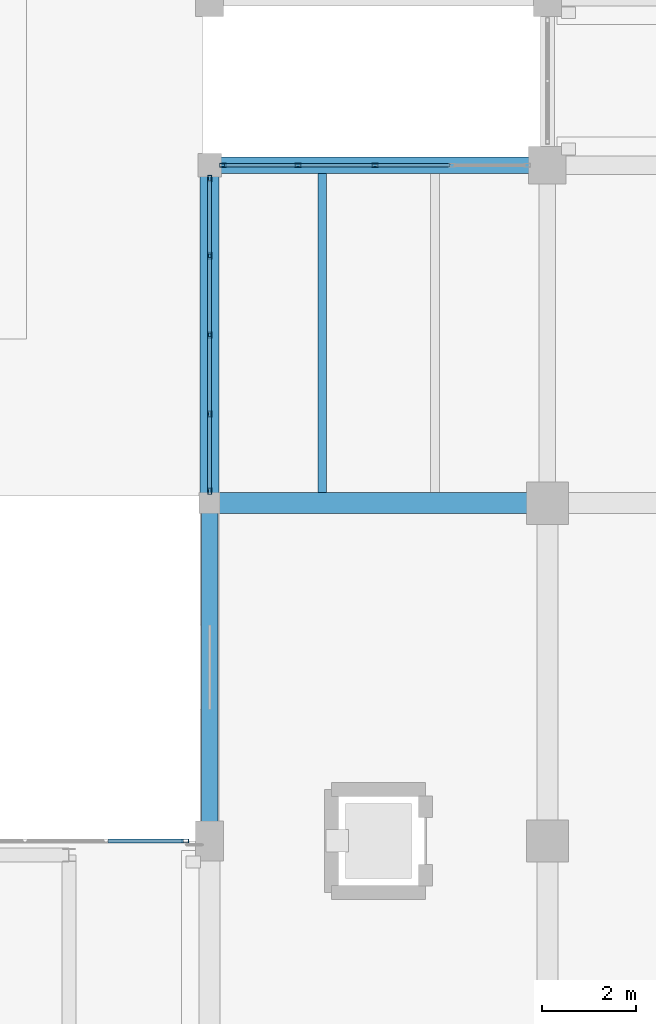
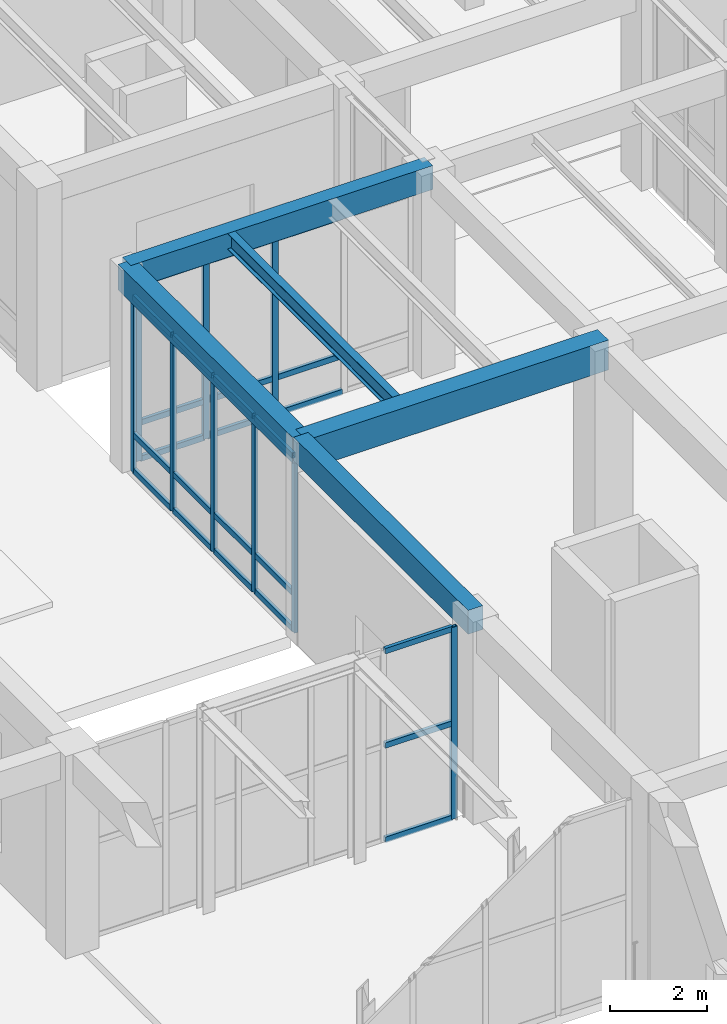
# One storey, part 54 of 169: 33 members, 5 beams, 3 elements without a shape of their own.
"""IFC4 building model written with IfcOpenShell, lengths in metres."""

from ifc_helpers import new_model, si_unit, direction, frame, origin, origin_2d, place, context, subcontext, project, spatial, rectangle, hollow_rectangle, i_section, extrude, material, layer, layer_set, material_profile, profile_set, type_object, element, aggregate, save


model = new_model("IFC4")

# Units and contexts
model_context = context("Model", 3, precision=1e-05, world=origin(), true_north=direction((0.0, 1.0)))
body_context = subcontext(model_context, "Body", "Model", "MODEL_VIEW")
ifc_project = project(units=[si_unit("LENGTHUNIT", "METRE"), si_unit("AREAUNIT", "SQUARE_METRE"), si_unit("VOLUMEUNIT", "CUBIC_METRE"), si_unit("PLANEANGLEUNIT", "RADIAN"), si_unit("MASSUNIT", "GRAM", prefix="KILO")], contexts=[model_context])

# Site, building, storey
site_placement = place(None, origin())
site = spatial("IfcSite", under=ifc_project, at=site_placement, CompositionType="ELEMENT")
building_placement = place(site_placement, origin())
building = spatial("IfcBuilding", under=site, at=building_placement, Name="Mazaris Harbour Polytechnic", CompositionType="ELEMENT")
storey_placement = place(building_placement, origin())
storey = spatial("IfcBuildingStorey", under=building, at=storey_placement, Name="L00", CompositionType="ELEMENT", Elevation=0.0)

# Curtain wall, members
ifc_material_1 = material(Name="Anodised Bronze Aluminium and Low-E Glass", Category="aluminium")
ifc_layer_1 = layer(ifc_material_1, 0.159912109375, Name="Anodised Bronze Aluminium and Low-E Glass")
ifc_layer_set_1 = layer_set([ifc_layer_1], Name="Anodised Bronze Aluminium and Low-E Glass")
curtain_wall_type_1 = type_object("IfcCurtainWallType", Name="Cloister Court Curtain Wall", PredefinedType="NOTDEFINED", material=ifc_layer_set_1)
curtain_wall_1_placement = place(storey_placement, origin())
curtain_wall_1 = element("IfcCurtainWall", 1, at=curtain_wall_1_placement, inside=storey, type_object=curtain_wall_type_1, Name="V2 L00 Curtain Wall 37", PredefinedType="NOTDEFINED")
ifc_material_2 = material(Name="Anodised Bronze Steel S355", Category="steel")
ifc_material_profile_1 = material_profile(ifc_material_2, hollow_rectangle(XDim=0.080078125, YDim=0.139892578125, WallThickness=0.00634765625, at=origin_2d()), Name="RHS 80x140x6.3")
ifc_profile_set_1 = profile_set([ifc_material_profile_1], Name="Anodised Bronze Steel S355")
member_type_1 = type_object("IfcMemberType", Name="Curtain Mullion RHS80x140", PredefinedType="MULLION", material=ifc_profile_set_1)
member_1_placement = place(storey_placement, frame((122.681884765625, 43.199951171875, 0.0), z_axis=(0.0, 0.0, 1.0), x_axis=(0.0, 1.0, 0.0)))
member_1 = element("IfcMember", 2, at=member_1_placement, type_object=member_type_1, Name="CW-02 mullion 1", PredefinedType="MULLION", context=body_context, shape_type="SweptSolid", body=[
    extrude(hollow_rectangle(XDim=0.080078125, YDim=0.139892578125, WallThickness=0.00634765625, at=origin_2d()), origin(), (0.0, 0.0, 1.0), 4.489990234375),
])
member_2_placement = place(storey_placement, frame((124.283447265625, 43.199951171875, 0.0), z_axis=(0.0, 0.0, 1.0), x_axis=(0.0, 1.0, 0.0)))
member_2 = element("IfcMember", 3, at=member_2_placement, type_object=member_type_1, Name="CW-02 mullion 2", PredefinedType="MULLION", context=body_context, shape_type="SweptSolid", body=[
    extrude(hollow_rectangle(XDim=0.080078125, YDim=0.139892578125, WallThickness=0.00634765625, at=origin_2d()), origin(), (0.0, 0.0, 1.0), 4.489990234375),
])
member_3_placement = place(storey_placement, frame((125.925048828125, 43.199951171875, 0.0), z_axis=(0.0, 0.0, 1.0), x_axis=(0.0, 1.0, 0.0)))
member_3 = element("IfcMember", 4, at=member_3_placement, type_object=member_type_1, Name="CW-02 mullion 3", PredefinedType="MULLION", context=body_context, shape_type="SweptSolid", body=[
    extrude(hollow_rectangle(XDim=0.080078125, YDim=0.139892578125, WallThickness=0.00634765625, at=origin_2d()), origin(), (0.0, 0.0, 1.0), 4.489990234375),
])

curtain_wall_2_placement = place(storey_placement, origin())
curtain_wall_2 = element("IfcCurtainWall", 5, at=curtain_wall_2_placement, inside=storey, type_object=curtain_wall_type_1, Name="V2 L00 Curtain Wall 42", PredefinedType="NOTDEFINED")
member_4_placement = place(storey_placement, frame((122.39990234375, 36.257080078125, 0.0), z_axis=(0.0, 0.0, 1.0), x_axis=(-1.0, 0.0, 0.0)))
member_4 = element("IfcMember", 6, at=member_4_placement, type_object=member_type_1, Name="CW-02 mullion 1", PredefinedType="MULLION", context=body_context, shape_type="SweptSolid", body=[
    extrude(hollow_rectangle(XDim=0.080078125, YDim=0.139892578125, WallThickness=0.00634765625, at=origin_2d()), origin(), (0.0, 0.0, 1.0), 4.43994140625),
])
member_5_placement = place(storey_placement, frame((122.39990234375, 37.90234375, 0.0), z_axis=(0.0, 0.0, 1.0), x_axis=(-1.0, 0.0, 0.0)))
member_5 = element("IfcMember", 7, at=member_5_placement, type_object=member_type_1, Name="CW-02 mullion 2", PredefinedType="MULLION", context=body_context, shape_type="SweptSolid", body=[
    extrude(hollow_rectangle(XDim=0.080078125, YDim=0.139892578125, WallThickness=0.00634765625, at=origin_2d()), origin(), (0.0, 0.0, 1.0), 4.43994140625),
])
member_6_placement = place(storey_placement, frame((122.39990234375, 39.58740234375, 0.0), z_axis=(0.0, 0.0, 1.0), x_axis=(-1.0, 0.0, 0.0)))
member_6 = element("IfcMember", 8, at=member_6_placement, type_object=member_type_1, Name="CW-02 mullion 3", PredefinedType="MULLION", context=body_context, shape_type="SweptSolid", body=[
    extrude(hollow_rectangle(XDim=0.080078125, YDim=0.139892578125, WallThickness=0.00634765625, at=origin_2d()), origin(), (0.0, 0.0, 1.0), 4.43994140625),
])
member_7_placement = place(storey_placement, frame((122.39990234375, 41.272705078125, 0.0), z_axis=(0.0, 0.0, 1.0), x_axis=(-1.0, 0.0, 0.0)))
member_7 = element("IfcMember", 9, at=member_7_placement, type_object=member_type_1, Name="CW-02 mullion 4", PredefinedType="MULLION", context=body_context, shape_type="SweptSolid", body=[
    extrude(hollow_rectangle(XDim=0.080078125, YDim=0.139892578125, WallThickness=0.00634765625, at=origin_2d()), origin(), (0.0, 0.0, 1.0), 4.43994140625),
])
member_8_placement = place(storey_placement, frame((122.39990234375, 42.91796875, 0.0), z_axis=(0.0, 0.0, 1.0), x_axis=(-1.0, 0.0, 0.0)))
member_8 = element("IfcMember", 10, at=member_8_placement, type_object=member_type_1, Name="CW-02 mullion 5", PredefinedType="MULLION", context=body_context, shape_type="SweptSolid", body=[
    extrude(hollow_rectangle(XDim=0.080078125, YDim=0.139892578125, WallThickness=0.00634765625, at=origin_2d()), origin(), (0.0, 0.0, 1.0), 4.43994140625),
])

# Curtain wall, member
ifc_material_3 = material(Name="Anodised Bronze Aluminium and Low-E Glass", Category="aluminium")
ifc_layer_2 = layer(ifc_material_3, 0.139892578125, Name="Anodised Bronze Aluminium and Low-E Glass")
ifc_layer_set_2 = layer_set([ifc_layer_2], Name="Anodised Bronze Aluminium and Low-E Glass")
curtain_wall_type_2 = type_object("IfcCurtainWallType", Name="Seismic Link Bridge Glazing", PredefinedType="NOTDEFINED", material=ifc_layer_set_2)
curtain_wall_3_placement = place(storey_placement, origin())
curtain_wall_3 = element("IfcCurtainWall", 11, at=curtain_wall_3_placement, inside=storey, type_object=curtain_wall_type_2, Name="PB-E1 L00 Bridge Glazing", PredefinedType="NOTDEFINED")
member_9_placement = place(storey_placement, frame((121.8798828125, 28.800048828125, 0.0), z_axis=(0.0, 0.0, 1.0), x_axis=(0.0, -1.0, 0.0)))
member_9 = element("IfcMember", 12, at=member_9_placement, type_object=member_type_1, Name="CW-05 mullion 1", PredefinedType="MULLION", context=body_context, shape_type="SweptSolid", body=[
    extrude(hollow_rectangle(XDim=0.080078125, YDim=0.139892578125, WallThickness=0.00634765625, at=origin_2d()), origin(), (0.0, 0.0, 1.0), 4.8349609375),
])

# Member
ifc_material_4 = material(Name="Anodised Bronze Steel S355", Category="steel")
ifc_material_profile_2 = material_profile(ifc_material_4, hollow_rectangle(XDim=0.080078125, YDim=0.139892578125, WallThickness=0.00634765625, at=origin_2d()), Name="RHS 80x140x6.3")
ifc_profile_set_2 = profile_set([ifc_material_profile_2], Name="Anodised Bronze Steel S355")
member_type_2 = type_object("IfcMemberType", Name="Curtain Transom RHS80x140", PredefinedType="USERDEFINED", material=ifc_profile_set_2)
member_10_placement = place(storey_placement, frame((122.721923828125, 43.199951171875, 0.0400390625), z_axis=(1.0, 0.0, 0.0), x_axis=(0.0, 1.0, 0.0)))
member_10 = element("IfcMember", 13, at=member_10_placement, type_object=member_type_2, Name="CW-02 transom 1.1", ObjectType="TRANSOM", PredefinedType="USERDEFINED", context=body_context, shape_type="SweptSolid", body=[
    extrude(hollow_rectangle(XDim=0.080078125, YDim=0.139892578125, WallThickness=0.00634765625, at=origin_2d()), origin(), (0.0, 0.0, 1.0), 1.521484375),
])

member_11_placement = place(storey_placement, frame((122.721923828125, 43.199951171875, 0.949951171875), z_axis=(1.0, 0.0, 0.0), x_axis=(0.0, 1.0, 0.0)))
member_11 = element("IfcMember", 14, at=member_11_placement, type_object=member_type_2, Name="CW-02 transom 1.2", ObjectType="TRANSOM", PredefinedType="USERDEFINED", context=body_context, shape_type="SweptSolid", body=[
    extrude(hollow_rectangle(XDim=0.080078125, YDim=0.139892578125, WallThickness=0.00634765625, at=origin_2d()), origin(), (0.0, 0.0, 1.0), 1.521484375),
])

member_12_placement = place(storey_placement, frame((122.721923828125, 43.199951171875, 4.449951171875), z_axis=(1.0, 0.0, 0.0), x_axis=(0.0, 1.0, 0.0)))
member_12 = element("IfcMember", 15, at=member_12_placement, type_object=member_type_2, Name="CW-02 transom 1.3", ObjectType="TRANSOM", PredefinedType="USERDEFINED", context=body_context, shape_type="SweptSolid", body=[
    extrude(hollow_rectangle(XDim=0.080078125, YDim=0.139892578125, WallThickness=0.00634765625, at=origin_2d()), origin(), (0.0, 0.0, 1.0), 1.521484375),
])

member_13_placement = place(storey_placement, frame((124.323486328125, 43.199951171875, 0.0400390625), z_axis=(1.0, 0.0, 0.0), x_axis=(0.0, 1.0, 0.0)))
member_13 = element("IfcMember", 16, at=member_13_placement, type_object=member_type_2, Name="CW-02 transom 2.1", ObjectType="TRANSOM", PredefinedType="USERDEFINED", context=body_context, shape_type="SweptSolid", body=[
    extrude(hollow_rectangle(XDim=0.080078125, YDim=0.139892578125, WallThickness=0.00634765625, at=origin_2d()), origin(), (0.0, 0.0, 1.0), 1.5615234375),
])

member_14_placement = place(storey_placement, frame((124.323486328125, 43.199951171875, 0.949951171875), z_axis=(1.0, 0.0, 0.0), x_axis=(0.0, 1.0, 0.0)))
member_14 = element("IfcMember", 17, at=member_14_placement, type_object=member_type_2, Name="CW-02 transom 2.2", ObjectType="TRANSOM", PredefinedType="USERDEFINED", context=body_context, shape_type="SweptSolid", body=[
    extrude(hollow_rectangle(XDim=0.080078125, YDim=0.139892578125, WallThickness=0.00634765625, at=origin_2d()), origin(), (0.0, 0.0, 1.0), 1.5615234375),
])

member_15_placement = place(storey_placement, frame((124.323486328125, 43.199951171875, 4.449951171875), z_axis=(1.0, 0.0, 0.0), x_axis=(0.0, 1.0, 0.0)))
member_15 = element("IfcMember", 18, at=member_15_placement, type_object=member_type_2, Name="CW-02 transom 2.3", ObjectType="TRANSOM", PredefinedType="USERDEFINED", context=body_context, shape_type="SweptSolid", body=[
    extrude(hollow_rectangle(XDim=0.080078125, YDim=0.139892578125, WallThickness=0.00634765625, at=origin_2d()), origin(), (0.0, 0.0, 1.0), 1.5615234375),
])

member_16_placement = place(storey_placement, frame((125.965087890625, 43.199951171875, 0.0400390625), z_axis=(1.0, 0.0, 0.0), x_axis=(0.0, 1.0, 0.0)))
member_16 = element("IfcMember", 19, at=member_16_placement, type_object=member_type_2, Name="CW-02 transom 3.1", ObjectType="TRANSOM", PredefinedType="USERDEFINED", context=body_context, shape_type="SweptSolid", body=[
    extrude(hollow_rectangle(XDim=0.080078125, YDim=0.139892578125, WallThickness=0.00634765625, at=origin_2d()), origin(), (0.0, 0.0, 1.0), 1.5615234375),
])

member_17_placement = place(storey_placement, frame((125.965087890625, 43.199951171875, 0.949951171875), z_axis=(1.0, 0.0, 0.0), x_axis=(0.0, 1.0, 0.0)))
member_17 = element("IfcMember", 20, at=member_17_placement, type_object=member_type_2, Name="CW-02 transom 3.2", ObjectType="TRANSOM", PredefinedType="USERDEFINED", context=body_context, shape_type="SweptSolid", body=[
    extrude(hollow_rectangle(XDim=0.080078125, YDim=0.139892578125, WallThickness=0.00634765625, at=origin_2d()), origin(), (0.0, 0.0, 1.0), 1.5615234375),
])

member_18_placement = place(storey_placement, frame((125.965087890625, 43.199951171875, 4.449951171875), z_axis=(1.0, 0.0, 0.0), x_axis=(0.0, 1.0, 0.0)))
member_18 = element("IfcMember", 21, at=member_18_placement, type_object=member_type_2, Name="CW-02 transom 3.3", ObjectType="TRANSOM", PredefinedType="USERDEFINED", context=body_context, shape_type="SweptSolid", body=[
    extrude(hollow_rectangle(XDim=0.080078125, YDim=0.139892578125, WallThickness=0.00634765625, at=origin_2d()), origin(), (0.0, 0.0, 1.0), 1.5615234375),
])

aggregate(curtain_wall_1, [member_1, member_2, member_3, member_10, member_11, member_12, member_13, member_14, member_15, member_16, member_17, member_18])

member_19_placement = place(storey_placement, frame((122.39990234375, 36.297119140625, 0.0400390625), z_axis=(0.0, 1.0, 0.0), x_axis=(-1.0, 0.0, 0.0)))
member_19 = element("IfcMember", 22, at=member_19_placement, type_object=member_type_2, Name="CW-02 transom 1.1", ObjectType="TRANSOM", PredefinedType="USERDEFINED", context=body_context, shape_type="SweptSolid", body=[
    extrude(hollow_rectangle(XDim=0.080078125, YDim=0.139892578125, WallThickness=0.00634765625, at=origin_2d()), origin(), (0.0, 0.0, 1.0), 1.565185546875),
])

member_20_placement = place(storey_placement, frame((122.39990234375, 36.297119140625, 0.949951171875), z_axis=(0.0, 1.0, 0.0), x_axis=(-1.0, 0.0, 0.0)))
member_20 = element("IfcMember", 23, at=member_20_placement, type_object=member_type_2, Name="CW-02 transom 1.2", ObjectType="TRANSOM", PredefinedType="USERDEFINED", context=body_context, shape_type="SweptSolid", body=[
    extrude(hollow_rectangle(XDim=0.080078125, YDim=0.139892578125, WallThickness=0.00634765625, at=origin_2d()), origin(), (0.0, 0.0, 1.0), 1.565185546875),
])

member_21_placement = place(storey_placement, frame((122.39990234375, 36.297119140625, 4.39990234375), z_axis=(0.0, 1.0, 0.0), x_axis=(-1.0, 0.0, 0.0)))
member_21 = element("IfcMember", 24, at=member_21_placement, type_object=member_type_2, Name="CW-02 transom 1.3", ObjectType="TRANSOM", PredefinedType="USERDEFINED", context=body_context, shape_type="SweptSolid", body=[
    extrude(hollow_rectangle(XDim=0.080078125, YDim=0.139892578125, WallThickness=0.00634765625, at=origin_2d()), origin(), (0.0, 0.0, 1.0), 1.565185546875),
])

member_22_placement = place(storey_placement, frame((122.39990234375, 37.942138671875, 0.0400390625), z_axis=(0.0, 1.0, 0.0), x_axis=(-1.0, 0.0, 0.0)))
member_22 = element("IfcMember", 25, at=member_22_placement, type_object=member_type_2, Name="CW-02 transom 2.1", ObjectType="TRANSOM", PredefinedType="USERDEFINED", context=body_context, shape_type="SweptSolid", body=[
    extrude(hollow_rectangle(XDim=0.080078125, YDim=0.139892578125, WallThickness=0.00634765625, at=origin_2d()), origin(), (0.0, 0.0, 1.0), 1.60546875),
])

member_23_placement = place(storey_placement, frame((122.39990234375, 37.942138671875, 0.949951171875), z_axis=(0.0, 1.0, 0.0), x_axis=(-1.0, 0.0, 0.0)))
member_23 = element("IfcMember", 26, at=member_23_placement, type_object=member_type_2, Name="CW-02 transom 2.2", ObjectType="TRANSOM", PredefinedType="USERDEFINED", context=body_context, shape_type="SweptSolid", body=[
    extrude(hollow_rectangle(XDim=0.080078125, YDim=0.139892578125, WallThickness=0.00634765625, at=origin_2d()), origin(), (0.0, 0.0, 1.0), 1.60546875),
])

member_24_placement = place(storey_placement, frame((122.39990234375, 37.942138671875, 4.39990234375), z_axis=(0.0, 1.0, 0.0), x_axis=(-1.0, 0.0, 0.0)))
member_24 = element("IfcMember", 27, at=member_24_placement, type_object=member_type_2, Name="CW-02 transom 2.3", ObjectType="TRANSOM", PredefinedType="USERDEFINED", context=body_context, shape_type="SweptSolid", body=[
    extrude(hollow_rectangle(XDim=0.080078125, YDim=0.139892578125, WallThickness=0.00634765625, at=origin_2d()), origin(), (0.0, 0.0, 1.0), 1.60546875),
])

member_25_placement = place(storey_placement, frame((122.39990234375, 39.62744140625, 0.0400390625), z_axis=(0.0, 1.0, 0.0), x_axis=(-1.0, 0.0, 0.0)))
member_25 = element("IfcMember", 28, at=member_25_placement, type_object=member_type_2, Name="CW-02 transom 3.1", ObjectType="TRANSOM", PredefinedType="USERDEFINED", context=body_context, shape_type="SweptSolid", body=[
    extrude(hollow_rectangle(XDim=0.080078125, YDim=0.139892578125, WallThickness=0.00634765625, at=origin_2d()), origin(), (0.0, 0.0, 1.0), 1.605224609375),
])

member_26_placement = place(storey_placement, frame((122.39990234375, 39.62744140625, 0.949951171875), z_axis=(0.0, 1.0, 0.0), x_axis=(-1.0, 0.0, 0.0)))
member_26 = element("IfcMember", 29, at=member_26_placement, type_object=member_type_2, Name="CW-02 transom 3.2", ObjectType="TRANSOM", PredefinedType="USERDEFINED", context=body_context, shape_type="SweptSolid", body=[
    extrude(hollow_rectangle(XDim=0.080078125, YDim=0.139892578125, WallThickness=0.00634765625, at=origin_2d()), origin(), (0.0, 0.0, 1.0), 1.605224609375),
])

member_27_placement = place(storey_placement, frame((122.39990234375, 39.62744140625, 4.39990234375), z_axis=(0.0, 1.0, 0.0), x_axis=(-1.0, 0.0, 0.0)))
member_27 = element("IfcMember", 30, at=member_27_placement, type_object=member_type_2, Name="CW-02 transom 3.3", ObjectType="TRANSOM", PredefinedType="USERDEFINED", context=body_context, shape_type="SweptSolid", body=[
    extrude(hollow_rectangle(XDim=0.080078125, YDim=0.139892578125, WallThickness=0.00634765625, at=origin_2d()), origin(), (0.0, 0.0, 1.0), 1.605224609375),
])

member_28_placement = place(storey_placement, frame((122.39990234375, 41.312744140625, 0.0400390625), z_axis=(0.0, 1.0, 0.0), x_axis=(-1.0, 0.0, 0.0)))
member_28 = element("IfcMember", 31, at=member_28_placement, type_object=member_type_2, Name="CW-02 transom 4.1", ObjectType="TRANSOM", PredefinedType="USERDEFINED", context=body_context, shape_type="SweptSolid", body=[
    extrude(hollow_rectangle(XDim=0.080078125, YDim=0.139892578125, WallThickness=0.00634765625, at=origin_2d()), origin(), (0.0, 0.0, 1.0), 1.565185546875),
])

member_29_placement = place(storey_placement, frame((122.39990234375, 41.312744140625, 0.949951171875), z_axis=(0.0, 1.0, 0.0), x_axis=(-1.0, 0.0, 0.0)))
member_29 = element("IfcMember", 32, at=member_29_placement, type_object=member_type_2, Name="CW-02 transom 4.2", ObjectType="TRANSOM", PredefinedType="USERDEFINED", context=body_context, shape_type="SweptSolid", body=[
    extrude(hollow_rectangle(XDim=0.080078125, YDim=0.139892578125, WallThickness=0.00634765625, at=origin_2d()), origin(), (0.0, 0.0, 1.0), 1.565185546875),
])

member_30_placement = place(storey_placement, frame((122.39990234375, 41.312744140625, 4.39990234375), z_axis=(0.0, 1.0, 0.0), x_axis=(-1.0, 0.0, 0.0)))
member_30 = element("IfcMember", 33, at=member_30_placement, type_object=member_type_2, Name="CW-02 transom 4.3", ObjectType="TRANSOM", PredefinedType="USERDEFINED", context=body_context, shape_type="SweptSolid", body=[
    extrude(hollow_rectangle(XDim=0.080078125, YDim=0.139892578125, WallThickness=0.00634765625, at=origin_2d()), origin(), (0.0, 0.0, 1.0), 1.565185546875),
])

aggregate(curtain_wall_2, [member_4, member_5, member_6, member_7, member_8, member_19, member_20, member_21, member_22, member_23, member_24, member_25, member_26, member_27, member_28, member_29, member_30])

member_31_placement = place(storey_placement, frame((121.840087890625, 28.800048828125, 0.0400390625), z_axis=(-1.0, 0.0, 0.0), x_axis=(0.0, -1.0, 0.0)))
member_31 = element("IfcMember", 34, at=member_31_placement, type_object=member_type_2, Name="CW-05 transom 1.1", ObjectType="TRANSOM", PredefinedType="USERDEFINED", context=body_context, shape_type="SweptSolid", body=[
    extrude(hollow_rectangle(XDim=0.080078125, YDim=0.139892578125, WallThickness=0.00634765625, at=origin_2d()), origin(), (0.0, 0.0, 1.0), 1.608154296875),
])

member_32_placement = place(storey_placement, frame((121.840087890625, 28.800048828125, 2.41748046875), z_axis=(-1.0, 0.0, 0.0), x_axis=(0.0, -1.0, 0.0)))
member_32 = element("IfcMember", 35, at=member_32_placement, type_object=member_type_2, Name="CW-05 transom 1.2", ObjectType="TRANSOM", PredefinedType="USERDEFINED", context=body_context, shape_type="SweptSolid", body=[
    extrude(hollow_rectangle(XDim=0.080078125, YDim=0.139892578125, WallThickness=0.00634765625, at=origin_2d()), origin(), (0.0, 0.0, 1.0), 1.608154296875),
])

member_33_placement = place(storey_placement, frame((121.840087890625, 28.800048828125, 4.794921875), z_axis=(-1.0, 0.0, 0.0), x_axis=(0.0, -1.0, 0.0)))
member_33 = element("IfcMember", 36, at=member_33_placement, type_object=member_type_2, Name="CW-05 transom 1.3", ObjectType="TRANSOM", PredefinedType="USERDEFINED", context=body_context, shape_type="SweptSolid", body=[
    extrude(hollow_rectangle(XDim=0.080078125, YDim=0.139892578125, WallThickness=0.00634765625, at=origin_2d()), origin(), (0.0, 0.0, 1.0), 1.608154296875),
])

aggregate(curtain_wall_3, [member_9, member_31, member_32, member_33])

# Beams
ifc_material_5 = material(Name="Concrete C35/45", Category="concrete")
ifc_material_profile_3 = material_profile(ifc_material_5, rectangle(XDim=0.35009765625, YDim=0.60009765625, at=origin_2d()), Name="RECT350x600")
ifc_profile_set_3 = profile_set([ifc_material_profile_3], Name="Concrete C35/45")
beam_type_1 = type_object("IfcBeamType", Name="RC Girder 350x600 Exterior", PredefinedType="BEAM", material=ifc_profile_set_3)
beam_1_placement = place(storey_placement, frame((122.39990234375, 43.199951171875, 4.800048828125), z_axis=(1.0, 0.0, 0.0), x_axis=(0.0, 1.0, 0.0)))
element("IfcBeam", 37, at=beam_1_placement, inside=storey, type_object=beam_type_1, Name="V2 L00 Girder 445", PredefinedType="BEAM", context=body_context, shape_type="SweptSolid", body=[
    extrude(rectangle(XDim=0.35009765625, YDim=0.60009765625, at=origin_2d()), origin(), (0.0, 0.0, 1.0), 7.2001953125),
])
beam_2_placement = place(storey_placement, frame((122.39990234375, 28.800048828125, 4.800048828125), z_axis=(0.0, 1.0, 0.0), x_axis=(-1.0, 0.0, 0.0)))
element("IfcBeam", 38, at=beam_2_placement, inside=storey, type_object=beam_type_1, Name="V2 L00 Tie Girder 455", PredefinedType="BEAM", context=body_context, shape_type="SweptSolid", body=[
    extrude(rectangle(XDim=0.35009765625, YDim=0.60009765625, at=origin_2d()), origin(), (0.0, 0.0, 1.0), 7.199951171875),
])
ifc_material_6 = material(Name="Concrete C35/45", Category="concrete")
ifc_material_profile_4 = material_profile(ifc_material_6, rectangle(XDim=0.39990234375, YDim=0.64990234375, at=origin_2d()), Name="RECT400x650")
ifc_profile_set_4 = profile_set([ifc_material_profile_4], Name="Concrete C35/45")
beam_type_2 = type_object("IfcBeamType", Name="RC Girder 400x650 Exterior", PredefinedType="BEAM", material=ifc_profile_set_4)
beam_3_placement = place(storey_placement, frame((122.39990234375, 36.0, 4.77490234375), z_axis=(0.0, 1.0, 0.0), x_axis=(-1.0, 0.0, 0.0)))
element("IfcBeam", 39, at=beam_3_placement, inside=storey, type_object=beam_type_2, Name="V2 L00 Tie Girder 456", PredefinedType="BEAM", context=body_context, shape_type="SweptSolid", body=[
    extrude(rectangle(XDim=0.39990234375, YDim=0.64990234375, at=origin_2d()), origin(), (0.0, 0.0, 1.0), 7.199951171875),
])
ifc_material_7 = material(Name="Concrete C40/50", Category="concrete")
ifc_material_profile_5 = material_profile(ifc_material_7, rectangle(XDim=0.449951171875, YDim=0.75, at=origin_2d()), Name="RECT450x750")
ifc_profile_set_5 = profile_set([ifc_material_profile_5], Name="Concrete C40/50")
beam_type_3 = type_object("IfcBeamType", Name="RC Girder 450x750", PredefinedType="BEAM", material=ifc_profile_set_5)
beam_4_placement = place(storey_placement, frame((122.39990234375, 36.0, 4.72509765625), z_axis=(1.0, 0.0, 0.0), x_axis=(0.0, 1.0, 0.0)))
element("IfcBeam", 40, at=beam_4_placement, inside=storey, type_object=beam_type_3, Name="V2 L00 Girder 438", PredefinedType="BEAM", context=body_context, shape_type="SweptSolid", body=[
    extrude(rectangle(XDim=0.449951171875, YDim=0.75, at=origin_2d()), origin(), (0.0, 0.0, 1.0), 7.2001953125),
])
ifc_material_8 = material(Name="Steel S355", Category="steel")
ifc_material_profile_6 = material_profile(ifc_material_8, i_section(OverallWidth=0.179931640625, OverallDepth=0.39990234375, WebThickness=0.008544921875, FlangeThickness=0.013427734375, FilletRadius=0.02099609375, at=origin_2d()), Name="IPE 400")
ifc_profile_set_6 = profile_set([ifc_material_profile_6], Name="Steel S355")
beam_type_4 = type_object("IfcBeamType", Name="Steel Joist IPE400", PredefinedType="JOIST", material=ifc_profile_set_6)
beam_5_placement = place(storey_placement, frame((124.800048828125, 36.22509765625, 4.89990234375), z_axis=(0.0, 1.0, 0.0), x_axis=(-1.0, 0.0, 0.0)))
element("IfcBeam", 41, at=beam_5_placement, inside=storey, type_object=beam_type_4, Name="V2 L00 Floor Joist 481", PredefinedType="JOIST", context=body_context, shape_type="SweptSolid", body=[
    extrude(i_section(OverallWidth=0.179931640625, OverallDepth=0.39990234375, WebThickness=0.008544921875, FlangeThickness=0.013427734375, FilletRadius=0.02099609375, at=origin_2d()), origin(), (0.0, 0.0, 1.0), 6.7998046875),
])

save(model, "model.ifc")
